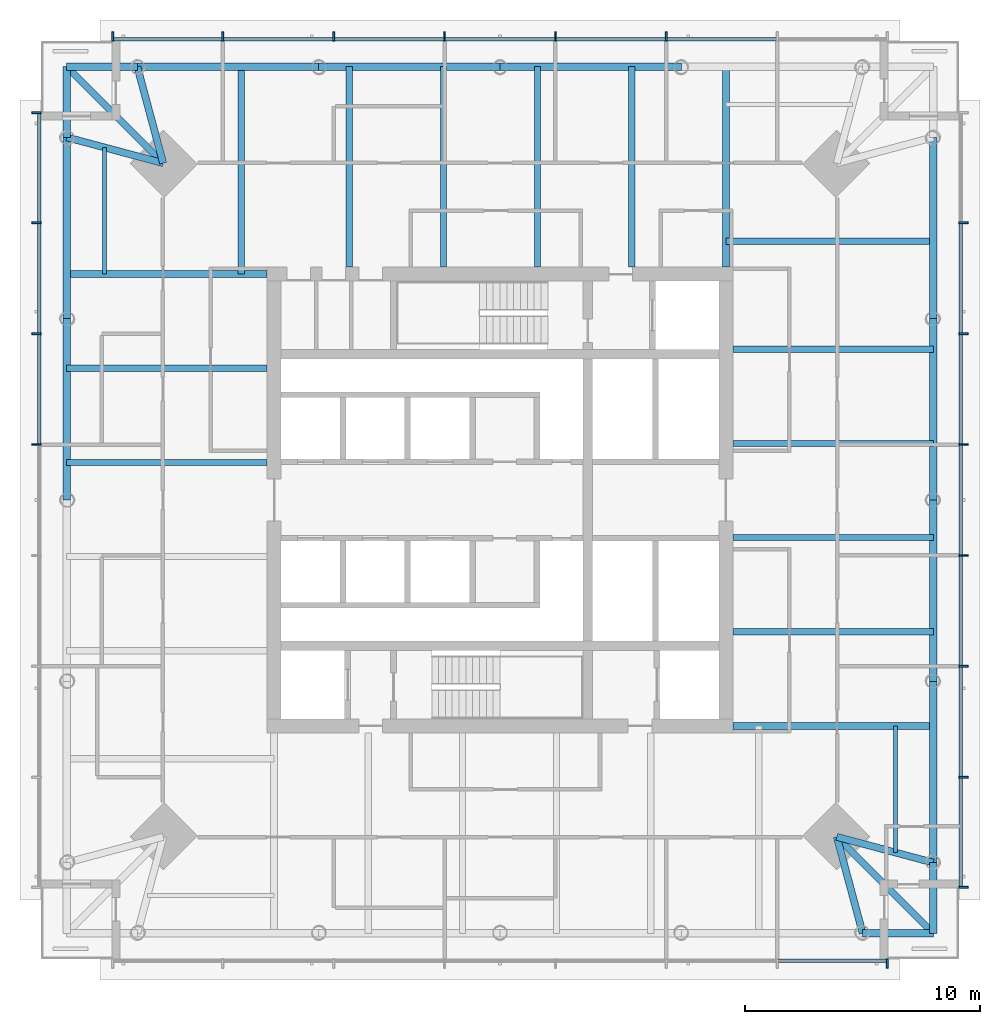
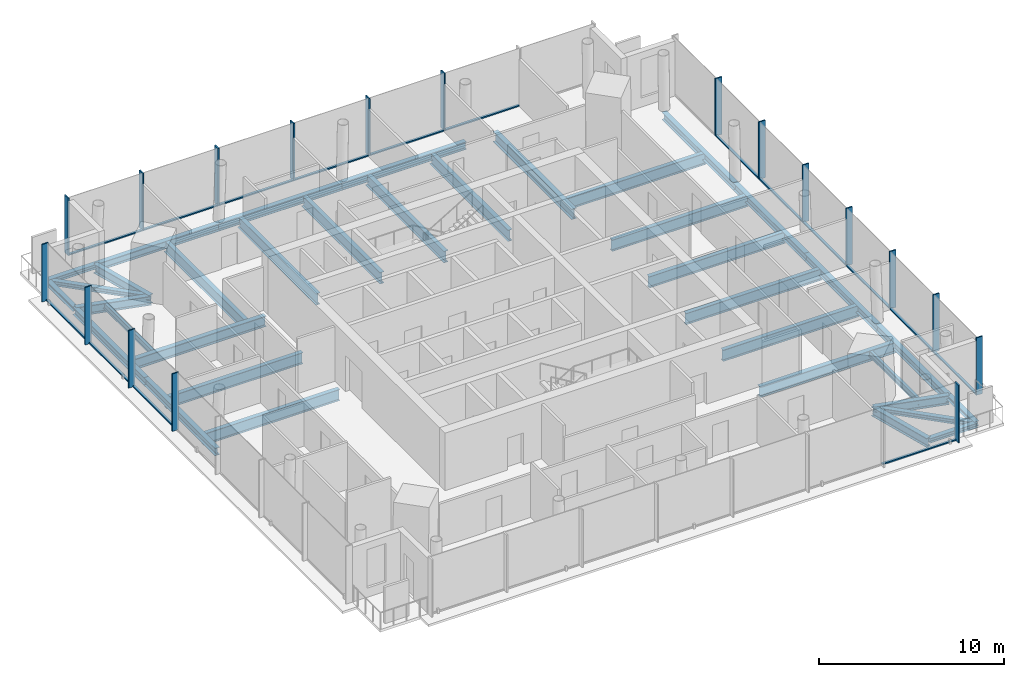
# One storey, part 2 of 11: 36 beams, 34 members, 4 elements without a shape of their own.
"""IFC4 building model written with IfcOpenShell, lengths in metres."""

from ifc_helpers import new_model, si_unit, direction, frame, origin, origin_2d, place, context, subcontext, project, spatial, rectangle, i_section, extrude, material, material_profile, profile_set, type_object, element, aggregate, save


model = new_model("IFC4")

# Units and contexts
model_context = context("Model", 3, precision=1e-05, world=origin(), true_north=direction((0.0, 1.0)))
body_context = subcontext(model_context, "Body", "Model", "MODEL_VIEW")
ifc_project = project(units=[si_unit("LENGTHUNIT", "METRE"), si_unit("AREAUNIT", "SQUARE_METRE"), si_unit("VOLUMEUNIT", "CUBIC_METRE"), si_unit("PLANEANGLEUNIT", "RADIAN"), si_unit("MASSUNIT", "GRAM", prefix="KILO")], contexts=[model_context])

# Site, building, storey
site_placement = place(None, origin())
site = spatial("IfcSite", under=ifc_project, at=site_placement, CompositionType="ELEMENT")
building_placement = place(site_placement, origin())
building = spatial("IfcBuilding", under=site, at=building_placement, Name="Ostroluk Exchange", CompositionType="ELEMENT")
storey_placement = place(building_placement, frame((0.0, 0.0, 195.800048828125)))
storey = spatial("IfcBuildingStorey", under=building, at=storey_placement, Name="L50", CompositionType="ELEMENT", Elevation=195.800048828125)

# Beams
ifc_material_1 = material(Name="Steel S355", Category="steel")
ifc_material_profile_1 = material_profile(ifc_material_1, i_section(OverallWidth=0.300048828125, OverallDepth=0.300048828125, WebThickness=0.010986328125, FlangeThickness=0.01904296875, FilletRadius=0.027099609375, at=origin_2d()), Name="HEB 300")
ifc_profile_set_1 = profile_set([ifc_material_profile_1], Name="Steel S355")
beam_type_1 = type_object("IfcBeamType", Name="Balcony beam HEB 300", PredefinedType="BEAM", material=ifc_profile_set_1)
for number, where, z_axis, x_axis, name in (
    (1, (29.585693359375, 64.414306640625, -0.330078125), (-1.0, 0.0, 0.0), (0.0, -1.0, 0.0), "T1 north balcony beam a"),
    (2, (26.585693359375, 61.414306640625, -0.330078125), (0.0, 1.0, 0.0), (-1.0, 0.0, 0.0), "T1 north balcony beam b"),
):
    element("IfcBeam", number, at=place(storey_placement, frame(where, z_axis=z_axis, x_axis=x_axis)), inside=storey, type_object=beam_type_1, Name=name, PredefinedType="BEAM", context=body_context, shape_type="SweptSolid", body=[
        extrude(i_section(OverallWidth=0.300048828125, OverallDepth=0.300048828125, WebThickness=0.010986328125, FlangeThickness=0.01904296875, FilletRadius=0.027099609375, at=origin_2d()), origin(), (0.0, 0.0, 1.0), 3.0),
    ])
beam_1_placement = place(storey_placement, frame((30.685791015625, 60.314208984375, -0.330078125), z_axis=(-0.707106781187, 0.707106781187, 0.0), x_axis=(-0.707106781187, -0.707106781187, 0.0)))
element("IfcBeam", 3, at=beam_1_placement, inside=storey, type_object=beam_type_1, Name="T1 north balcony beam c", PredefinedType="BEAM", context=body_context, shape_type="SweptSolid", body=[
    extrude(i_section(OverallWidth=0.300048828125, OverallDepth=0.300048828125, WebThickness=0.010986328125, FlangeThickness=0.01904296875, FilletRadius=0.027099609375, at=origin_2d()), origin(), (0.0, 0.0, 1.0), 5.79833984375),
])
for number, where, z_axis, x_axis, name in (
    (4, (60.414306640625, 27.585693359375, -0.330078125), (1.0, 0.0, 0.0), (0.0, 1.0, 0.0), "T1 south balcony beam a"),
    (5, (63.414306640625, 30.585693359375, -0.330078125), (0.0, -1.0, 0.0), (1.0, 0.0, 0.0), "T1 south balcony beam b"),
):
    element("IfcBeam", number, at=place(storey_placement, frame(where, z_axis=z_axis, x_axis=x_axis)), inside=storey, type_object=beam_type_1, Name=name, PredefinedType="BEAM", context=body_context, shape_type="SweptSolid", body=[
        extrude(i_section(OverallWidth=0.300048828125, OverallDepth=0.300048828125, WebThickness=0.010986328125, FlangeThickness=0.01904296875, FilletRadius=0.027099609375, at=origin_2d()), origin(), (0.0, 0.0, 1.0), 3.0),
    ])
beam_2_placement = place(storey_placement, frame((59.314208984375, 31.685791015625, -0.330078125), z_axis=(0.707106781187, -0.707106781187, 0.0), x_axis=(0.707106781187, 0.707106781187, 0.0)))
element("IfcBeam", 6, at=beam_2_placement, inside=storey, type_object=beam_type_1, Name="T1 south balcony beam c", PredefinedType="BEAM", context=body_context, shape_type="SweptSolid", body=[
    extrude(i_section(OverallWidth=0.300048828125, OverallDepth=0.300048828125, WebThickness=0.010986328125, FlangeThickness=0.01904296875, FilletRadius=0.027099609375, at=origin_2d()), origin(), (0.0, 0.0, 1.0), 5.79833984375),
])
ifc_material_2 = material(Name="Steel S355", Category="steel")
ifc_material_profile_2 = material_profile(ifc_material_2, i_section(OverallWidth=0.300048828125, OverallDepth=0.60009765625, WebThickness=0.015380859375, FlangeThickness=0.030029296875, FilletRadius=0.027099609375, at=origin_2d()), Name="HEB 600")
ifc_profile_set_2 = profile_set([ifc_material_profile_2], Name="Steel S355")
beam_type_2 = type_object("IfcBeamType", Name="Corner edge beam HEB 600", PredefinedType="SPANDREL", material=ifc_profile_set_2)
for number, where, z_axis, x_axis, name in (
    (7, (30.685791015625, 60.314208984375, -0.47998046875), (-0.259144268261, 0.965838624319, 0.0), (-0.965838624319, -0.259144268261, 0.0), "T1 north corner edge beam a"),
    (8, (30.685791015625, 60.314208984375, -0.47998046875), (-0.965838624319, 0.259144268261, 0.0), (-0.259144268261, -0.965838624319, 0.0), "T1 north corner edge beam b"),
    (9, (59.314208984375, 31.685791015625, -0.47998046875), (0.259144268261, -0.965838624319, 0.0), (0.965838624319, 0.259144268261, 0.0), "T1 south corner edge beam a"),
    (10, (59.314208984375, 31.685791015625, -0.47998046875), (0.965838624319, -0.259144268261, 0.0), (0.259144268261, 0.965838624319, 0.0), "T1 south corner edge beam b"),
):
    element("IfcBeam", number, at=place(storey_placement, frame(where, z_axis=z_axis, x_axis=x_axis)), inside=storey, type_object=beam_type_2, Name=name, PredefinedType="SPANDREL", context=body_context, shape_type="SweptSolid", body=[
        extrude(i_section(OverallWidth=0.300048828125, OverallDepth=0.60009765625, WebThickness=0.015380859375, FlangeThickness=0.030029296875, FilletRadius=0.027099609375, at=origin_2d()), origin(), (0.0, 0.0, 1.0), 4.2451171875),
    ])
ifc_material_3 = material(Name="Steel S355", Category="steel")
ifc_material_profile_3 = material_profile(ifc_material_3, i_section(OverallWidth=0.179931640625, OverallDepth=0.39990234375, WebThickness=0.008544921875, FlangeThickness=0.013427734375, FilletRadius=0.02099609375, at=origin_2d()), Name="IPE 400")
ifc_profile_set_3 = profile_set([ifc_material_profile_3], Name="Steel S355")
beam_type_3 = type_object("IfcBeamType", Name="Floor beam IPE 400", PredefinedType="BEAM", material=ifc_profile_set_3)
for number, where, z_axis, x_axis, name in (
    (11, (28.185791015625, 55.60009765625, -0.380126953125), (0.0, 1.0, 0.0), (-1.0, 0.0, 0.0), "T1 north floor beam 6"),
    (12, (61.814208984375, 36.39990234375, -0.380126953125), (0.0, -1.0, 0.0), (1.0, 0.0, 0.0), "T1 south floor beam 6"),
):
    element("IfcBeam", number, at=place(storey_placement, frame(where, z_axis=z_axis, x_axis=x_axis)), inside=storey, type_object=beam_type_3, Name=name, PredefinedType="BEAM", context=body_context, shape_type="SweptSolid", body=[
        extrude(i_section(OverallWidth=0.179931640625, OverallDepth=0.39990234375, WebThickness=0.008544921875, FlangeThickness=0.013427734375, FilletRadius=0.02099609375, at=origin_2d()), origin(), (0.0, 0.0, 1.0), 5.385009765625),
    ])
ifc_material_4 = material(Name="Steel S355", Category="steel")
ifc_material_profile_4 = material_profile(ifc_material_4, i_section(OverallWidth=0.264892578125, OverallDepth=0.7529296875, WebThickness=0.01318359375, FlangeThickness=0.01708984375, FilletRadius=0.01708984375, at=origin_2d()), Name="IPE 750x147")
ifc_profile_set_4 = profile_set([ifc_material_profile_4], Name="Steel S355")
beam_type_4 = type_object("IfcBeamType", Name="Floor beam IPE 750x147", PredefinedType="BEAM", material=ifc_profile_set_4)
for number, where, z_axis, x_axis, name in (
    (13, (54.89990234375, 40.402099609375, -0.556640625), (1.0, 0.0, 0.0), (0.0, 1.0, 0.0), "T1 east floor beam 1"),
    (14, (54.89990234375, 44.404052734375, -0.556640625), (1.0, 0.0, 0.0), (0.0, 1.0, 0.0), "T1 east floor beam 2"),
    (15, (54.89990234375, 48.406005859375, -0.556640625), (1.0, 0.0, 0.0), (0.0, 1.0, 0.0), "T1 east floor beam 3"),
    (16, (54.89990234375, 52.408203125, -0.556640625), (1.0, 0.0, 0.0), (0.0, 1.0, 0.0), "T1 east floor beam 4"),
):
    element("IfcBeam", number, at=place(storey_placement, frame(where, z_axis=z_axis, x_axis=x_axis)), inside=storey, type_object=beam_type_4, Name=name, PredefinedType="BEAM", context=body_context, shape_type="SweptSolid", body=[
        extrude(i_section(OverallWidth=0.264892578125, OverallDepth=0.7529296875, WebThickness=0.01318359375, FlangeThickness=0.01708984375, FilletRadius=0.01708984375, at=origin_2d()), origin(), (0.0, 0.0, 1.0), 8.514404296875),
    ])
beam_3_placement = place(storey_placement, frame((54.60009765625, 57.0, -0.556640625), z_axis=(1.0, 0.0, 0.0), x_axis=(0.0, 1.0, 0.0)))
element("IfcBeam", 17, at=beam_3_placement, inside=storey, type_object=beam_type_4, Name="T1 east floor beam 5", PredefinedType="BEAM", context=body_context, shape_type="SweptSolid", body=[
    extrude(i_section(OverallWidth=0.264892578125, OverallDepth=0.7529296875, WebThickness=0.01318359375, FlangeThickness=0.01708984375, FilletRadius=0.01708984375, at=origin_2d()), origin(), (0.0, 0.0, 1.0), 8.814208984375),
])
for number, where, z_axis, x_axis, name in (
    (18, (50.597900390625, 55.89990234375, -0.556640625), (0.0, 1.0, 0.0), (-1.0, 0.0, 0.0), "T1 north floor beam 1"),
    (19, (46.595947265625, 55.89990234375, -0.556640625), (0.0, 1.0, 0.0), (-1.0, 0.0, 0.0), "T1 north floor beam 2"),
    (20, (42.593994140625, 55.89990234375, -0.556640625), (0.0, 1.0, 0.0), (-1.0, 0.0, 0.0), "T1 north floor beam 3"),
    (21, (38.591796875, 55.89990234375, -0.556640625), (0.0, 1.0, 0.0), (-1.0, 0.0, 0.0), "T1 north floor beam 4"),
):
    element("IfcBeam", number, at=place(storey_placement, frame(where, z_axis=z_axis, x_axis=x_axis)), inside=storey, type_object=beam_type_4, Name=name, PredefinedType="BEAM", context=body_context, shape_type="SweptSolid", body=[
        extrude(i_section(OverallWidth=0.264892578125, OverallDepth=0.7529296875, WebThickness=0.01318359375, FlangeThickness=0.01708984375, FilletRadius=0.01708984375, at=origin_2d()), origin(), (0.0, 0.0, 1.0), 8.514404296875),
    ])
beam_4_placement = place(storey_placement, frame((34.0, 55.60009765625, -0.556640625), z_axis=(0.0, 1.0, 0.0), x_axis=(-1.0, 0.0, 0.0)))
element("IfcBeam", 22, at=beam_4_placement, inside=storey, type_object=beam_type_4, Name="T1 north floor beam 5", PredefinedType="BEAM", context=body_context, shape_type="SweptSolid", body=[
    extrude(i_section(OverallWidth=0.264892578125, OverallDepth=0.7529296875, WebThickness=0.01318359375, FlangeThickness=0.01708984375, FilletRadius=0.01708984375, at=origin_2d()), origin(), (0.0, 0.0, 1.0), 8.814208984375),
])
for number, where, z_axis, x_axis, name in (
    (23, (35.10009765625, 51.597900390625, -0.556640625), (-1.0, 0.0, 0.0), (0.0, -1.0, 0.0), "T1 west floor beam 1"),
    (24, (35.10009765625, 47.595947265625, -0.556640625), (-1.0, 0.0, 0.0), (0.0, -1.0, 0.0), "T1 west floor beam 2"),
):
    element("IfcBeam", number, at=place(storey_placement, frame(where, z_axis=z_axis, x_axis=x_axis)), inside=storey, type_object=beam_type_4, Name=name, PredefinedType="BEAM", context=body_context, shape_type="SweptSolid", body=[
        extrude(i_section(OverallWidth=0.264892578125, OverallDepth=0.7529296875, WebThickness=0.01318359375, FlangeThickness=0.01708984375, FilletRadius=0.01708984375, at=origin_2d()), origin(), (0.0, 0.0, 1.0), 8.514404296875),
    ])
ifc_material_5 = material(Name="Steel S355", Category="steel")
ifc_material_profile_5 = material_profile(ifc_material_5, i_section(OverallWidth=0.300048828125, OverallDepth=0.699951171875, WebThickness=0.01708984375, FlangeThickness=0.031982421875, FilletRadius=0.027099609375, at=origin_2d()), Name="HEB 700")
ifc_profile_set_5 = profile_set([ifc_material_profile_5], Name="Steel S355")
beam_type_5 = type_object("IfcBeamType", Name="Girder HEB 700", PredefinedType="BEAM", material=ifc_profile_set_5)
for number, where, z_axis, x_axis, name in (
    (25, (54.60009765625, 55.89990234375, -0.530029296875), (0.0, 1.0, 0.0), (-1.0, 0.0, 0.0), "T1 east girder"),
    (26, (35.10009765625, 55.60009765625, -0.530029296875), (-1.0, 0.0, 0.0), (0.0, -1.0, 0.0), "T1 north girder"),
    (27, (54.89990234375, 36.39990234375, -0.530029296875), (1.0, 0.0, 0.0), (0.0, 1.0, 0.0), "T1 south girder"),
):
    element("IfcBeam", number, at=place(storey_placement, frame(where, z_axis=z_axis, x_axis=x_axis)), inside=storey, type_object=beam_type_5, Name=name, PredefinedType="BEAM", context=body_context, shape_type="SweptSolid", body=[
        extrude(i_section(OverallWidth=0.300048828125, OverallDepth=0.699951171875, WebThickness=0.01708984375, FlangeThickness=0.031982421875, FilletRadius=0.027099609375, at=origin_2d()), origin(), (0.0, 0.0, 1.0), 8.514404296875),
    ])
ifc_material_6 = material(Name="Steel S355", Category="steel")
ifc_material_profile_6 = material_profile(ifc_material_6, i_section(OverallWidth=0.300048828125, OverallDepth=0.5, WebThickness=0.014404296875, FlangeThickness=0.028076171875, FilletRadius=0.027099609375, at=origin_2d()), Name="HEB 500")
ifc_profile_set_6 = profile_set([ifc_material_profile_6], Name="Steel S355")
beam_type_6 = type_object("IfcBeamType", Name="Moment-connected edge beam HEB 500", PredefinedType="SPANDREL", material=ifc_profile_set_6)
beam_5_placement = place(storey_placement, frame((63.414306640625, 30.585693359375, -0.429931640625), z_axis=(0.0, 1.0, 0.0), x_axis=(-1.0, 0.0, 0.0)))
element("IfcBeam", 28, at=beam_5_placement, inside=storey, type_object=beam_type_6, Name="T1 east edge beam 1", PredefinedType="SPANDREL", context=body_context, shape_type="SweptSolid", body=[
    extrude(i_section(OverallWidth=0.300048828125, OverallDepth=0.5, WebThickness=0.014404296875, FlangeThickness=0.028076171875, FilletRadius=0.027099609375, at=origin_2d()), origin(), (0.0, 0.0, 1.0), 7.707275390625),
])
for number, where, z_axis, x_axis, name in (
    (29, (63.414306640625, 38.29296875, -0.429931640625), (0.0, 1.0, 0.0), (-1.0, 0.0, 0.0), "T1 east edge beam 2"),
    (30, (63.414306640625, 46.0, -0.429931640625), (0.0, 1.0, 0.0), (-1.0, 0.0, 0.0), "T1 east edge beam 3"),
):
    element("IfcBeam", number, at=place(storey_placement, frame(where, z_axis=z_axis, x_axis=x_axis)), inside=storey, type_object=beam_type_6, Name=name, PredefinedType="SPANDREL", context=body_context, shape_type="SweptSolid", body=[
        extrude(i_section(OverallWidth=0.300048828125, OverallDepth=0.5, WebThickness=0.014404296875, FlangeThickness=0.028076171875, FilletRadius=0.027099609375, at=origin_2d()), origin(), (0.0, 0.0, 1.0), 7.70703125),
    ])
beam_6_placement = place(storey_placement, frame((63.414306640625, 53.70703125, -0.429931640625), z_axis=(0.0, 1.0, 0.0), x_axis=(-1.0, 0.0, 0.0)))
element("IfcBeam", 31, at=beam_6_placement, inside=storey, type_object=beam_type_6, Name="T1 east edge beam 4", PredefinedType="SPANDREL", context=body_context, shape_type="SweptSolid", body=[
    extrude(i_section(OverallWidth=0.300048828125, OverallDepth=0.5, WebThickness=0.014404296875, FlangeThickness=0.028076171875, FilletRadius=0.027099609375, at=origin_2d()), origin(), (0.0, 0.0, 1.0), 7.707275390625),
])
for number, where, z_axis, x_axis, name in (
    (32, (52.70703125, 64.414306640625, -0.429931640625), (-1.0, 0.0, 0.0), (0.0, -1.0, 0.0), "T1 north edge beam 2"),
    (33, (45.0, 64.414306640625, -0.429931640625), (-1.0, 0.0, 0.0), (0.0, -1.0, 0.0), "T1 north edge beam 3"),
):
    element("IfcBeam", number, at=place(storey_placement, frame(where, z_axis=z_axis, x_axis=x_axis)), inside=storey, type_object=beam_type_6, Name=name, PredefinedType="SPANDREL", context=body_context, shape_type="SweptSolid", body=[
        extrude(i_section(OverallWidth=0.300048828125, OverallDepth=0.5, WebThickness=0.014404296875, FlangeThickness=0.028076171875, FilletRadius=0.027099609375, at=origin_2d()), origin(), (0.0, 0.0, 1.0), 7.70703125),
    ])
for number, where, z_axis, x_axis, name in (
    (34, (37.29296875, 64.414306640625, -0.429931640625), (-1.0, 0.0, 0.0), (0.0, -1.0, 0.0), "T1 north edge beam 4"),
    (35, (26.585693359375, 61.414306640625, -0.429931640625), (0.0, -1.0, 0.0), (1.0, 0.0, 0.0), "T1 west edge beam 1"),
):
    element("IfcBeam", number, at=place(storey_placement, frame(where, z_axis=z_axis, x_axis=x_axis)), inside=storey, type_object=beam_type_6, Name=name, PredefinedType="SPANDREL", context=body_context, shape_type="SweptSolid", body=[
        extrude(i_section(OverallWidth=0.300048828125, OverallDepth=0.5, WebThickness=0.014404296875, FlangeThickness=0.028076171875, FilletRadius=0.027099609375, at=origin_2d()), origin(), (0.0, 0.0, 1.0), 7.707275390625),
    ])
beam_7_placement = place(storey_placement, frame((26.585693359375, 53.70703125, -0.429931640625), z_axis=(0.0, -1.0, 0.0), x_axis=(1.0, 0.0, 0.0)))
element("IfcBeam", 36, at=beam_7_placement, inside=storey, type_object=beam_type_6, Name="T1 west edge beam 2", PredefinedType="SPANDREL", context=body_context, shape_type="SweptSolid", body=[
    extrude(i_section(OverallWidth=0.300048828125, OverallDepth=0.5, WebThickness=0.014404296875, FlangeThickness=0.028076171875, FilletRadius=0.027099609375, at=origin_2d()), origin(), (0.0, 0.0, 1.0), 7.70703125),
])

# Curtain wall, member
ifc_material_7 = material(Name="Laminated clear glass", Category="glass")
curtain_wall_type = type_object("IfcCurtainWallType", Name="Office tower facade", PredefinedType="USERDEFINED", material=ifc_material_7)
curtain_wall_1_placement = place(storey_placement, origin())
curtain_wall_1 = element("IfcCurtainWall", 37, at=curtain_wall_1_placement, inside=storey, type_object=curtain_wall_type, Name="Office tower south facade L50", ObjectType="UNITISED CURTAIN WALL", PredefinedType="USERDEFINED")
ifc_material_8 = material(Name="Aluminium mullion", Category="aluminium")
ifc_material_profile_7 = material_profile(ifc_material_8, rectangle(XDim=0.14990234375, YDim=0.080078125, at=origin_2d()), Name="Sill transom 80 x 150")
ifc_profile_set_7 = profile_set([ifc_material_profile_7], Name="Aluminium mullion")
member_type_1 = type_object("IfcMemberType", Name="Sill transom 80 x 150", PredefinedType="USERDEFINED", material=ifc_profile_set_7)
member_1_placement = place(storey_placement, frame((56.82568359375, 26.425048828125, 0.0400390625), z_axis=(1.0, 0.0, 0.0), x_axis=(0.0, 1.0, 0.0)))
member_1 = element("IfcMember", 38, at=member_1_placement, type_object=member_type_1, Name="CW-O1 transom 7.1", ObjectType="TRANSOM", PredefinedType="USERDEFINED", context=body_context, shape_type="SweptSolid", body=[
    extrude(rectangle(XDim=0.14990234375, YDim=0.080078125, at=origin_2d()), origin(), (0.0, 0.0, 1.0), 4.59423828125),
])

# Curtain wall, members
curtain_wall_2_placement = place(storey_placement, origin())
curtain_wall_2 = element("IfcCurtainWall", 39, at=curtain_wall_2_placement, inside=storey, type_object=curtain_wall_type, Name="Office tower east facade L50", ObjectType="UNITISED CURTAIN WALL", PredefinedType="USERDEFINED")
member_2_placement = place(storey_placement, frame((64.574951171875, 29.580078125, 0.0400390625), z_axis=(0.0, 1.0, 0.0), x_axis=(-1.0, 0.0, 0.0)))
member_2 = element("IfcMember", 40, at=member_2_placement, type_object=member_type_1, Name="CW-O1 transom 1.1", ObjectType="TRANSOM", PredefinedType="USERDEFINED", context=body_context, shape_type="SweptSolid", body=[
    extrude(rectangle(XDim=0.14990234375, YDim=0.080078125, at=origin_2d()), origin(), (0.0, 0.0, 1.0), 4.59423828125),
])
member_3_placement = place(storey_placement, frame((64.574951171875, 34.25439453125, 0.0400390625), z_axis=(0.0, 1.0, 0.0), x_axis=(-1.0, 0.0, 0.0)))
member_3 = element("IfcMember", 41, at=member_3_placement, type_object=member_type_1, Name="CW-O1 transom 2.1", ObjectType="TRANSOM", PredefinedType="USERDEFINED", context=body_context, shape_type="SweptSolid", body=[
    extrude(rectangle(XDim=0.14990234375, YDim=0.080078125, at=origin_2d()), origin(), (0.0, 0.0, 1.0), 4.63427734375),
])
member_4_placement = place(storey_placement, frame((64.574951171875, 38.968505859375, 0.0400390625), z_axis=(0.0, 1.0, 0.0), x_axis=(-1.0, 0.0, 0.0)))
member_4 = element("IfcMember", 42, at=member_4_placement, type_object=member_type_1, Name="CW-O1 transom 3.1", ObjectType="TRANSOM", PredefinedType="USERDEFINED", context=body_context, shape_type="SweptSolid", body=[
    extrude(rectangle(XDim=0.14990234375, YDim=0.080078125, at=origin_2d()), origin(), (0.0, 0.0, 1.0), 4.63427734375),
])
member_5_placement = place(storey_placement, frame((64.574951171875, 43.682861328125, 0.0400390625), z_axis=(0.0, 1.0, 0.0), x_axis=(-1.0, 0.0, 0.0)))
member_5 = element("IfcMember", 43, at=member_5_placement, type_object=member_type_1, Name="CW-O1 transom 4.1", ObjectType="TRANSOM", PredefinedType="USERDEFINED", context=body_context, shape_type="SweptSolid", body=[
    extrude(rectangle(XDim=0.14990234375, YDim=0.080078125, at=origin_2d()), origin(), (0.0, 0.0, 1.0), 4.63427734375),
])
member_6_placement = place(storey_placement, frame((64.574951171875, 48.397216796875, 0.0400390625), z_axis=(0.0, 1.0, 0.0), x_axis=(-1.0, 0.0, 0.0)))
member_6 = element("IfcMember", 44, at=member_6_placement, type_object=member_type_1, Name="CW-O1 transom 5.1", ObjectType="TRANSOM", PredefinedType="USERDEFINED", context=body_context, shape_type="SweptSolid", body=[
    extrude(rectangle(XDim=0.14990234375, YDim=0.080078125, at=origin_2d()), origin(), (0.0, 0.0, 1.0), 4.63427734375),
])
member_7_placement = place(storey_placement, frame((64.574951171875, 53.111328125, 0.0400390625), z_axis=(0.0, 1.0, 0.0), x_axis=(-1.0, 0.0, 0.0)))
member_7 = element("IfcMember", 45, at=member_7_placement, type_object=member_type_1, Name="CW-O1 transom 6.1", ObjectType="TRANSOM", PredefinedType="USERDEFINED", context=body_context, shape_type="SweptSolid", body=[
    extrude(rectangle(XDim=0.14990234375, YDim=0.080078125, at=origin_2d()), origin(), (0.0, 0.0, 1.0), 4.63427734375),
])

curtain_wall_3_placement = place(storey_placement, origin())
curtain_wall_3 = element("IfcCurtainWall", 46, at=curtain_wall_3_placement, inside=storey, type_object=curtain_wall_type, Name="Office tower north facade L50", ObjectType="UNITISED CURTAIN WALL", PredefinedType="USERDEFINED")
member_8_placement = place(storey_placement, frame((56.74560546875, 65.574951171875, 0.0400390625), z_axis=(-1.0, 0.0, 0.0), x_axis=(0.0, -1.0, 0.0)))
member_8 = element("IfcMember", 47, at=member_8_placement, type_object=member_type_1, Name="CW-O1 transom 2.1", ObjectType="TRANSOM", PredefinedType="USERDEFINED", context=body_context, shape_type="SweptSolid", body=[
    extrude(rectangle(XDim=0.14990234375, YDim=0.080078125, at=origin_2d()), origin(), (0.0, 0.0, 1.0), 4.63427734375),
])
member_9_placement = place(storey_placement, frame((52.031494140625, 65.574951171875, 0.0400390625), z_axis=(-1.0, 0.0, 0.0), x_axis=(0.0, -1.0, 0.0)))
member_9 = element("IfcMember", 48, at=member_9_placement, type_object=member_type_1, Name="CW-O1 transom 3.1", ObjectType="TRANSOM", PredefinedType="USERDEFINED", context=body_context, shape_type="SweptSolid", body=[
    extrude(rectangle(XDim=0.14990234375, YDim=0.080078125, at=origin_2d()), origin(), (0.0, 0.0, 1.0), 4.63427734375),
])
member_10_placement = place(storey_placement, frame((47.317138671875, 65.574951171875, 0.0400390625), z_axis=(-1.0, 0.0, 0.0), x_axis=(0.0, -1.0, 0.0)))
member_10 = element("IfcMember", 49, at=member_10_placement, type_object=member_type_1, Name="CW-O1 transom 4.1", ObjectType="TRANSOM", PredefinedType="USERDEFINED", context=body_context, shape_type="SweptSolid", body=[
    extrude(rectangle(XDim=0.14990234375, YDim=0.080078125, at=origin_2d()), origin(), (0.0, 0.0, 1.0), 4.63427734375),
])
member_11_placement = place(storey_placement, frame((42.602783203125, 65.574951171875, 0.0400390625), z_axis=(-1.0, 0.0, 0.0), x_axis=(0.0, -1.0, 0.0)))
member_11 = element("IfcMember", 50, at=member_11_placement, type_object=member_type_1, Name="CW-O1 transom 5.1", ObjectType="TRANSOM", PredefinedType="USERDEFINED", context=body_context, shape_type="SweptSolid", body=[
    extrude(rectangle(XDim=0.14990234375, YDim=0.080078125, at=origin_2d()), origin(), (0.0, 0.0, 1.0), 4.63427734375),
])
member_12_placement = place(storey_placement, frame((37.888671875, 65.574951171875, 0.0400390625), z_axis=(-1.0, 0.0, 0.0), x_axis=(0.0, -1.0, 0.0)))
member_12 = element("IfcMember", 51, at=member_12_placement, type_object=member_type_1, Name="CW-O1 transom 6.1", ObjectType="TRANSOM", PredefinedType="USERDEFINED", context=body_context, shape_type="SweptSolid", body=[
    extrude(rectangle(XDim=0.14990234375, YDim=0.080078125, at=origin_2d()), origin(), (0.0, 0.0, 1.0), 4.63427734375),
])
member_13_placement = place(storey_placement, frame((33.17431640625, 65.574951171875, 0.0400390625), z_axis=(-1.0, 0.0, 0.0), x_axis=(0.0, -1.0, 0.0)))
member_13 = element("IfcMember", 52, at=member_13_placement, type_object=member_type_1, Name="CW-O1 transom 7.1", ObjectType="TRANSOM", PredefinedType="USERDEFINED", context=body_context, shape_type="SweptSolid", body=[
    extrude(rectangle(XDim=0.14990234375, YDim=0.080078125, at=origin_2d()), origin(), (0.0, 0.0, 1.0), 4.59423828125),
])

curtain_wall_4_placement = place(storey_placement, origin())
curtain_wall_4 = element("IfcCurtainWall", 53, at=curtain_wall_4_placement, inside=storey, type_object=curtain_wall_type, Name="Office tower west facade L50", ObjectType="UNITISED CURTAIN WALL", PredefinedType="USERDEFINED")
member_14_placement = place(storey_placement, frame((25.425048828125, 62.419921875, 0.0400390625), z_axis=(0.0, -1.0, 0.0), x_axis=(1.0, 0.0, 0.0)))
member_14 = element("IfcMember", 54, at=member_14_placement, type_object=member_type_1, Name="CW-O1 transom 1.1", ObjectType="TRANSOM", PredefinedType="USERDEFINED", context=body_context, shape_type="SweptSolid", body=[
    extrude(rectangle(XDim=0.14990234375, YDim=0.080078125, at=origin_2d()), origin(), (0.0, 0.0, 1.0), 4.59423828125),
])
member_15_placement = place(storey_placement, frame((25.425048828125, 57.74560546875, 0.0400390625), z_axis=(0.0, -1.0, 0.0), x_axis=(1.0, 0.0, 0.0)))
member_15 = element("IfcMember", 55, at=member_15_placement, type_object=member_type_1, Name="CW-O1 transom 2.1", ObjectType="TRANSOM", PredefinedType="USERDEFINED", context=body_context, shape_type="SweptSolid", body=[
    extrude(rectangle(XDim=0.14990234375, YDim=0.080078125, at=origin_2d()), origin(), (0.0, 0.0, 1.0), 4.63427734375),
])
member_16_placement = place(storey_placement, frame((25.425048828125, 53.031494140625, 0.0400390625), z_axis=(0.0, -1.0, 0.0), x_axis=(1.0, 0.0, 0.0)))
member_16 = element("IfcMember", 56, at=member_16_placement, type_object=member_type_1, Name="CW-O1 transom 3.1", ObjectType="TRANSOM", PredefinedType="USERDEFINED", context=body_context, shape_type="SweptSolid", body=[
    extrude(rectangle(XDim=0.14990234375, YDim=0.080078125, at=origin_2d()), origin(), (0.0, 0.0, 1.0), 4.63427734375),
])

# Member
ifc_material_9 = material(Name="Aluminium mullion with limestone facing", Category="masonry")
ifc_material_profile_8 = material_profile(ifc_material_9, rectangle(XDim=0.39990234375, YDim=0.080078125, at=origin_2d()), Name="Tracery mullion 80 x 400")
ifc_profile_set_8 = profile_set([ifc_material_profile_8], Name="Aluminium mullion with limestone facing")
member_type_2 = type_object("IfcMemberType", Name="Tracery mullion 80 x 400", PredefinedType="MULLION", material=ifc_profile_set_8)
member_17_placement = place(storey_placement, frame((61.4599609375, 26.300048828125, 0.0), z_axis=(0.0, 0.0, 1.0), x_axis=(0.0, 1.0, 0.0)))
member_17 = element("IfcMember", 57, at=member_17_placement, type_object=member_type_2, Name="CW-O1 mullion 8", PredefinedType="MULLION", context=body_context, shape_type="SweptSolid", body=[
    extrude(rectangle(XDim=0.39990234375, YDim=0.080078125, at=origin_2d()), origin(), (0.0, 0.0, 1.0), 3.800048828125),
])

aggregate(curtain_wall_1, [member_17, member_1])

member_18_placement = place(storey_placement, frame((64.699951171875, 29.5400390625, 0.0), z_axis=(0.0, 0.0, 1.0), x_axis=(-1.0, 0.0, 0.0)))
member_18 = element("IfcMember", 58, at=member_18_placement, type_object=member_type_2, Name="CW-O1 mullion 1", PredefinedType="MULLION", context=body_context, shape_type="SweptSolid", body=[
    extrude(rectangle(XDim=0.39990234375, YDim=0.080078125, at=origin_2d()), origin(), (0.0, 0.0, 1.0), 3.800048828125),
])

member_19_placement = place(storey_placement, frame((64.699951171875, 34.21435546875, 0.0), z_axis=(0.0, 0.0, 1.0), x_axis=(-1.0, 0.0, 0.0)))
member_19 = element("IfcMember", 59, at=member_19_placement, type_object=member_type_2, Name="CW-O1 mullion 2", PredefinedType="MULLION", context=body_context, shape_type="SweptSolid", body=[
    extrude(rectangle(XDim=0.39990234375, YDim=0.080078125, at=origin_2d()), origin(), (0.0, 0.0, 1.0), 3.800048828125),
])

member_20_placement = place(storey_placement, frame((64.699951171875, 38.928466796875, 0.0), z_axis=(0.0, 0.0, 1.0), x_axis=(-1.0, 0.0, 0.0)))
member_20 = element("IfcMember", 60, at=member_20_placement, type_object=member_type_2, Name="CW-O1 mullion 3", PredefinedType="MULLION", context=body_context, shape_type="SweptSolid", body=[
    extrude(rectangle(XDim=0.39990234375, YDim=0.080078125, at=origin_2d()), origin(), (0.0, 0.0, 1.0), 3.800048828125),
])

member_21_placement = place(storey_placement, frame((64.699951171875, 43.642822265625, 0.0), z_axis=(0.0, 0.0, 1.0), x_axis=(-1.0, 0.0, 0.0)))
member_21 = element("IfcMember", 61, at=member_21_placement, type_object=member_type_2, Name="CW-O1 mullion 4", PredefinedType="MULLION", context=body_context, shape_type="SweptSolid", body=[
    extrude(rectangle(XDim=0.39990234375, YDim=0.080078125, at=origin_2d()), origin(), (0.0, 0.0, 1.0), 3.800048828125),
])

member_22_placement = place(storey_placement, frame((64.699951171875, 48.357177734375, 0.0), z_axis=(0.0, 0.0, 1.0), x_axis=(-1.0, 0.0, 0.0)))
member_22 = element("IfcMember", 62, at=member_22_placement, type_object=member_type_2, Name="CW-O1 mullion 5", PredefinedType="MULLION", context=body_context, shape_type="SweptSolid", body=[
    extrude(rectangle(XDim=0.39990234375, YDim=0.080078125, at=origin_2d()), origin(), (0.0, 0.0, 1.0), 3.800048828125),
])

member_23_placement = place(storey_placement, frame((64.699951171875, 53.071533203125, 0.0), z_axis=(0.0, 0.0, 1.0), x_axis=(-1.0, 0.0, 0.0)))
member_23 = element("IfcMember", 63, at=member_23_placement, type_object=member_type_2, Name="CW-O1 mullion 6", PredefinedType="MULLION", context=body_context, shape_type="SweptSolid", body=[
    extrude(rectangle(XDim=0.39990234375, YDim=0.080078125, at=origin_2d()), origin(), (0.0, 0.0, 1.0), 3.800048828125),
])

member_24_placement = place(storey_placement, frame((64.699951171875, 57.78564453125, 0.0), z_axis=(0.0, 0.0, 1.0), x_axis=(-1.0, 0.0, 0.0)))
member_24 = element("IfcMember", 64, at=member_24_placement, type_object=member_type_2, Name="CW-O1 mullion 7", PredefinedType="MULLION", context=body_context, shape_type="SweptSolid", body=[
    extrude(rectangle(XDim=0.39990234375, YDim=0.080078125, at=origin_2d()), origin(), (0.0, 0.0, 1.0), 3.800048828125),
])

aggregate(curtain_wall_2, [member_18, member_19, member_20, member_21, member_22, member_23, member_24, member_2, member_3, member_4, member_5, member_6, member_7])

member_25_placement = place(storey_placement, frame((52.071533203125, 65.699951171875, 0.0), z_axis=(0.0, 0.0, 1.0), x_axis=(0.0, -1.0, 0.0)))
member_25 = element("IfcMember", 65, at=member_25_placement, type_object=member_type_2, Name="CW-O1 mullion 3", PredefinedType="MULLION", context=body_context, shape_type="SweptSolid", body=[
    extrude(rectangle(XDim=0.39990234375, YDim=0.080078125, at=origin_2d()), origin(), (0.0, 0.0, 1.0), 3.800048828125),
])

member_26_placement = place(storey_placement, frame((47.357177734375, 65.699951171875, 0.0), z_axis=(0.0, 0.0, 1.0), x_axis=(0.0, -1.0, 0.0)))
member_26 = element("IfcMember", 66, at=member_26_placement, type_object=member_type_2, Name="CW-O1 mullion 4", PredefinedType="MULLION", context=body_context, shape_type="SweptSolid", body=[
    extrude(rectangle(XDim=0.39990234375, YDim=0.080078125, at=origin_2d()), origin(), (0.0, 0.0, 1.0), 3.800048828125),
])

member_27_placement = place(storey_placement, frame((42.642822265625, 65.699951171875, 0.0), z_axis=(0.0, 0.0, 1.0), x_axis=(0.0, -1.0, 0.0)))
member_27 = element("IfcMember", 67, at=member_27_placement, type_object=member_type_2, Name="CW-O1 mullion 5", PredefinedType="MULLION", context=body_context, shape_type="SweptSolid", body=[
    extrude(rectangle(XDim=0.39990234375, YDim=0.080078125, at=origin_2d()), origin(), (0.0, 0.0, 1.0), 3.800048828125),
])

member_28_placement = place(storey_placement, frame((37.928466796875, 65.699951171875, 0.0), z_axis=(0.0, 0.0, 1.0), x_axis=(0.0, -1.0, 0.0)))
member_28 = element("IfcMember", 68, at=member_28_placement, type_object=member_type_2, Name="CW-O1 mullion 6", PredefinedType="MULLION", context=body_context, shape_type="SweptSolid", body=[
    extrude(rectangle(XDim=0.39990234375, YDim=0.080078125, at=origin_2d()), origin(), (0.0, 0.0, 1.0), 3.800048828125),
])

member_29_placement = place(storey_placement, frame((33.21435546875, 65.699951171875, 0.0), z_axis=(0.0, 0.0, 1.0), x_axis=(0.0, -1.0, 0.0)))
member_29 = element("IfcMember", 69, at=member_29_placement, type_object=member_type_2, Name="CW-O1 mullion 7", PredefinedType="MULLION", context=body_context, shape_type="SweptSolid", body=[
    extrude(rectangle(XDim=0.39990234375, YDim=0.080078125, at=origin_2d()), origin(), (0.0, 0.0, 1.0), 3.800048828125),
])

member_30_placement = place(storey_placement, frame((28.5400390625, 65.699951171875, 0.0), z_axis=(0.0, 0.0, 1.0), x_axis=(0.0, -1.0, 0.0)))
member_30 = element("IfcMember", 70, at=member_30_placement, type_object=member_type_2, Name="CW-O1 mullion 8", PredefinedType="MULLION", context=body_context, shape_type="SweptSolid", body=[
    extrude(rectangle(XDim=0.39990234375, YDim=0.080078125, at=origin_2d()), origin(), (0.0, 0.0, 1.0), 3.800048828125),
])

aggregate(curtain_wall_3, [member_25, member_26, member_27, member_28, member_29, member_30, member_8, member_9, member_10, member_11, member_12, member_13])

member_31_placement = place(storey_placement, frame((25.300048828125, 62.4599609375, 0.0), z_axis=(0.0, 0.0, 1.0), x_axis=(1.0, 0.0, 0.0)))
member_31 = element("IfcMember", 71, at=member_31_placement, type_object=member_type_2, Name="CW-O1 mullion 1", PredefinedType="MULLION", context=body_context, shape_type="SweptSolid", body=[
    extrude(rectangle(XDim=0.39990234375, YDim=0.080078125, at=origin_2d()), origin(), (0.0, 0.0, 1.0), 3.800048828125),
])

member_32_placement = place(storey_placement, frame((25.300048828125, 57.78564453125, 0.0), z_axis=(0.0, 0.0, 1.0), x_axis=(1.0, 0.0, 0.0)))
member_32 = element("IfcMember", 72, at=member_32_placement, type_object=member_type_2, Name="CW-O1 mullion 2", PredefinedType="MULLION", context=body_context, shape_type="SweptSolid", body=[
    extrude(rectangle(XDim=0.39990234375, YDim=0.080078125, at=origin_2d()), origin(), (0.0, 0.0, 1.0), 3.800048828125),
])

member_33_placement = place(storey_placement, frame((25.300048828125, 53.071533203125, 0.0), z_axis=(0.0, 0.0, 1.0), x_axis=(1.0, 0.0, 0.0)))
member_33 = element("IfcMember", 73, at=member_33_placement, type_object=member_type_2, Name="CW-O1 mullion 3", PredefinedType="MULLION", context=body_context, shape_type="SweptSolid", body=[
    extrude(rectangle(XDim=0.39990234375, YDim=0.080078125, at=origin_2d()), origin(), (0.0, 0.0, 1.0), 3.800048828125),
])

member_34_placement = place(storey_placement, frame((25.300048828125, 48.357177734375, 0.0), z_axis=(0.0, 0.0, 1.0), x_axis=(1.0, 0.0, 0.0)))
member_34 = element("IfcMember", 74, at=member_34_placement, type_object=member_type_2, Name="CW-O1 mullion 4", PredefinedType="MULLION", context=body_context, shape_type="SweptSolid", body=[
    extrude(rectangle(XDim=0.39990234375, YDim=0.080078125, at=origin_2d()), origin(), (0.0, 0.0, 1.0), 3.800048828125),
])

aggregate(curtain_wall_4, [member_31, member_32, member_33, member_34, member_14, member_15, member_16])

save(model, "model.ifc")
